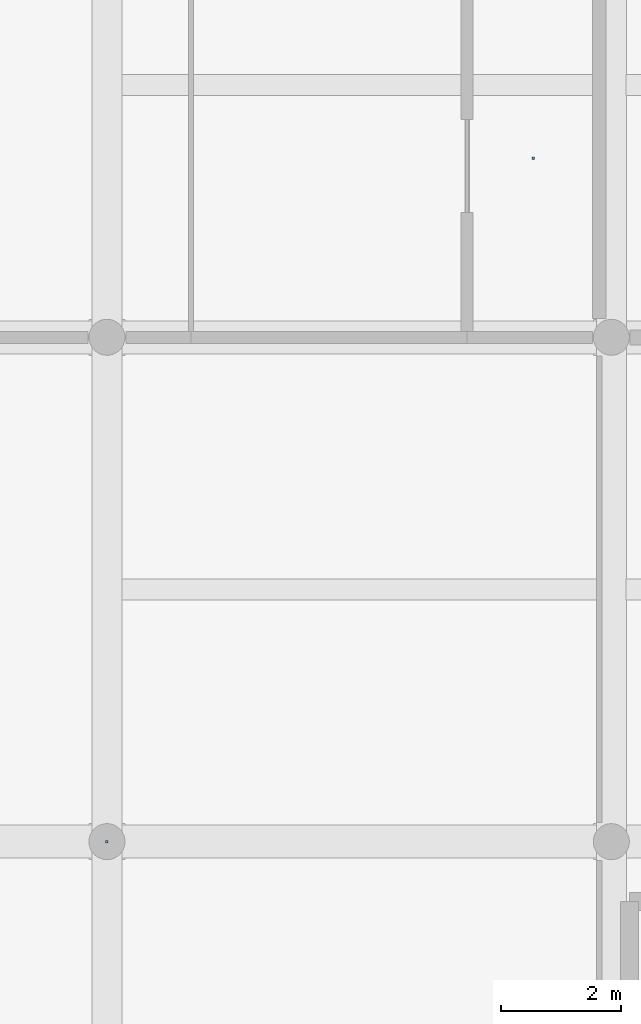
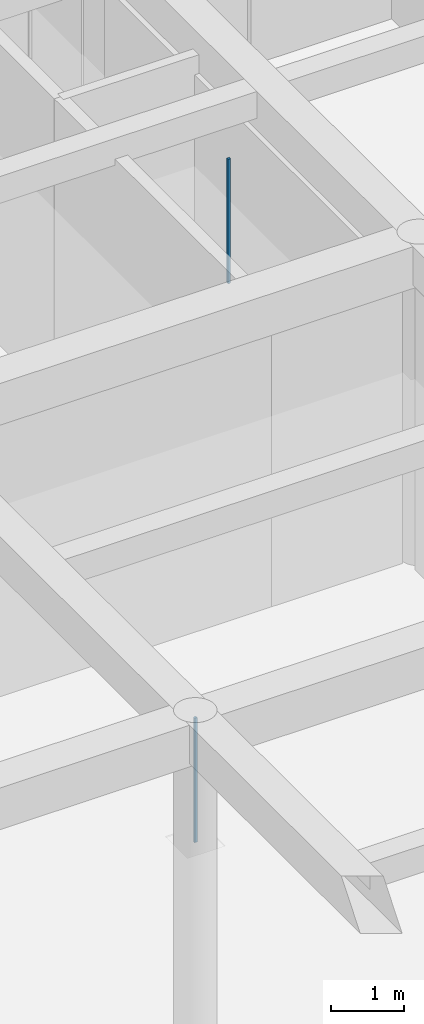
# One storey, part 119 of 157: 2 discrete accessories.
"""IFC4 building model written with IfcOpenShell, lengths in metres."""

import ifcopenshell
import ifcopenshell.guid

model = None  # the IFC model being written
_history = None  # IfcOwnerHistory: only IFC2X3 demands one
_inside = {}  # id of a spatial element -> (the spatial element, [elements in it])
_under = {}  # id of a project, library or spatial element -> (it, [spatial elements below it])
_declared = {}  # id of a project -> (the project, [libraries it declares])
_typed = {}  # id of a type object -> (the type object, [elements of that type])
_made_of = {}  # id of a material, layer set ... -> (it, [elements and type objects made of it])


def new_model(schema):
    """Start an empty IFC model of exactly this schema.

    Asked for "IFC4X3", IfcOpenShell would pick the latest addendum, in which some entities
    have other attributes; the version numbers below select the first issue.
    IFC2X3 requires an IfcOwnerHistory on every rooted entity: one is made here for all.
    """
    global model, _history
    if schema == "IFC4X3":
        model = ifcopenshell.file(schema_version=(4, 3, 0, 0))
    else:
        model = ifcopenshell.file(schema=schema)
    _inside.clear()
    _under.clear()
    _declared.clear()
    _typed.clear()
    _made_of.clear()
    _history = None
    if model.schema == "IFC2X3":
        org = make("IfcOrganization", Name="unknown")
        user = make(
            "IfcPersonAndOrganization",
            ThePerson=make("IfcPerson", FamilyName="unknown"),
            TheOrganization=org,
        )
        app = make(
            "IfcApplication",
            ApplicationDeveloper=org,
            Version="unknown",
            ApplicationFullName="unknown",
            ApplicationIdentifier="unknown",
        )
        _history = make(
            "IfcOwnerHistory",
            OwningUser=user,
            OwningApplication=app,
            ChangeAction="ADDED",
            CreationDate=0,
        )
    return model


def make(cls, **values):
    """One entity of the class cls with the attributes given. An attribute that is None is left unset."""
    return model.create_entity(
        cls, **{name: value for name, value in values.items() if value is not None}
    )


def rooted(cls, **values):
    """An entity with a GlobalId (a new one), such as an element, a storey or a relation."""
    return make(cls, GlobalId=ifcopenshell.guid.new(), OwnerHistory=_history, **values)


def si_unit(unit_type, name, prefix=None):
    """IfcSIUnit, for example si_unit("LENGTHUNIT", "METRE", prefix="MILLI")."""
    return make("IfcSIUnit", UnitType=unit_type, Prefix=prefix, Name=name)


def assignment(units):
    """IfcUnitAssignment: the units of a project."""
    return None if units is None else make("IfcUnitAssignment", Units=units)


def point(xyz):
    """IfcCartesianPoint."""
    return None if xyz is None else make("IfcCartesianPoint", Coordinates=xyz)


def direction(xyz):
    """IfcDirection."""
    return None if xyz is None else make("IfcDirection", DirectionRatios=xyz)


def frame(location, z_axis=None, x_axis=None):
    """IfcAxis2Placement3D, a coordinate frame: its origin and axes. An axis left out is left unset."""
    return make(
        "IfcAxis2Placement3D",
        Location=point(location),
        Axis=direction(z_axis),
        RefDirection=direction(x_axis),
    )


def frame_2d(location, x_axis=None):
    """IfcAxis2Placement2D, a coordinate frame in the plane: its origin and x axis."""
    return make(
        "IfcAxis2Placement2D", Location=point(location), RefDirection=direction(x_axis)
    )


def origin():
    """The frame at (0, 0, 0) with its axes left unset."""
    return frame((0.0, 0.0, 0.0))


def origin_2d():
    """The frame at (0, 0) in the plane with its x axis left unset."""
    return frame_2d((0.0, 0.0))


def place(relative_to, where):
    """IfcLocalPlacement: puts the frame where relative to a parent placement (None: the world)."""
    return make(
        "IfcLocalPlacement", PlacementRelTo=relative_to, RelativePlacement=where
    )


def context(
    kind, dimensions, precision=None, world=None, true_north=None, identifier=None
):
    """IfcGeometricRepresentationContext, for example the 3D "Model" context."""
    return make(
        "IfcGeometricRepresentationContext",
        ContextIdentifier=identifier,
        ContextType=kind,
        CoordinateSpaceDimension=dimensions,
        Precision=precision,
        WorldCoordinateSystem=world,
        TrueNorth=true_north,
    )


def subcontext(parent, identifier, kind, view, scale=None):
    """IfcGeometricRepresentationSubContext, for example "Body" below "Model"."""
    return make(
        "IfcGeometricRepresentationSubContext",
        ContextIdentifier=identifier,
        ContextType=kind,
        ParentContext=parent,
        TargetScale=scale,
        TargetView=view,
    )


def project(units=None, contexts=None):
    """IfcProject with its units and contexts."""
    return rooted(
        "IfcProject",
        Name="project",
        RepresentationContexts=contexts,
        UnitsInContext=assignment(units),
    )


def spatial(cls, under=None, at=None, **own):
    """A site, building, storey or space (cls), placed at a placement, below another one or the project."""
    s = rooted(cls, ObjectPlacement=at, **own)
    if under is not None:
        _under.setdefault(under.id(), (under, []))[1].append(s)
    return s


def profile(cls, at=None, kind="AREA", **sizes):
    """A parametric profile (cls). Its sizes go by their IFC names, for example OverallWidth=200.0."""
    return make(cls, ProfileType=kind, Position=at, **sizes)


def rectangle(**sizes):
    """IfcRectangleProfileDef."""
    return profile("IfcRectangleProfileDef", **sizes)


def extrude(swept, where, along, depth):
    """IfcExtrudedAreaSolid: the profile swept, set in the frame where, extruded along a direction by depth."""
    return make(
        "IfcExtrudedAreaSolid",
        SweptArea=swept,
        Position=where,
        ExtrudedDirection=direction(along),
        Depth=depth,
    )


def shape(context_of_items, identifier, shape_type, items):
    """IfcShapeRepresentation: the items that make up one representation, for example the "Body"."""
    return make(
        "IfcShapeRepresentation",
        ContextOfItems=context_of_items,
        RepresentationIdentifier=identifier,
        RepresentationType=shape_type,
        Items=items,
    )


def material(Name=None, Category=None):
    """IfcMaterial."""
    return make("IfcMaterial", Name=Name, Category=Category)


def made_of(thing, what):
    """Note that an element or type object is made of a material, layer set ...; save() writes the relation."""
    if what is not None:
        _made_of.setdefault(what.id(), (what, []))[1].append(thing)
    return thing


def type_object(cls, material=None, **own):
    """A type object (cls), such as IfcWallType, which elements share."""
    return made_of(rooted(cls, **own), material)


def element(
    cls,
    number,
    at=None,
    inside=None,
    cuts=None,
    type_object=None,
    material=None,
    context=None,
    identifier="Body",
    shape_type=None,
    held_by="IfcProductDefinitionShape",
    body=None,
    shapes=None,
    **own,
):
    """One element of the class cls, such as IfcWall. Its Tag is "e" and its number.

    at: its placement. inside: the storey or other place that contains it. cuts: it is an
    opening in that element (IfcRelVoidsElement). A single representation is given by context,
    identifier, shape_type and body (its items); several are given by shapes. held_by: the class
    of the entity that holds the representations. save() writes the other relations.
    """
    e = rooted(cls, Tag="e%d" % number, ObjectPlacement=at, **own)
    if body is not None:
        shapes = [shape(context, identifier, shape_type, body)]
    if shapes is not None:
        e.Representation = make(held_by, Representations=shapes)
    if inside is not None:
        _inside.setdefault(inside.id(), (inside, []))[1].append(e)
    if cuts is not None:
        rooted(
            "IfcRelVoidsElement", RelatingBuildingElement=cuts, RelatedOpeningElement=e
        )
    if type_object is not None:
        _typed.setdefault(type_object.id(), (type_object, []))[1].append(e)
    return made_of(e, material)


def aggregate(whole, parts):
    """IfcRelAggregates: a whole, such as a stair, and the parts it consists of."""
    return rooted("IfcRelAggregates", RelatingObject=whole, RelatedObjects=parts)


def save(model, path):
    """Write the relations noted so far, then the file.

    IfcRelAggregates (storeys below a building ...), IfcRelContainedInSpatialStructure (elements
    in a storey), IfcRelDefinesByType, IfcRelAssociatesMaterial and IfcRelDeclares: one each for
    every whole, place, type object, material and project.
    """
    for whole, parts in _under.values():
        aggregate(whole, parts)
    for where, things in _inside.values():
        rooted(
            "IfcRelContainedInSpatialStructure",
            RelatedElements=things,
            RelatingStructure=where,
        )
    for kind, things in _typed.values():
        rooted("IfcRelDefinesByType", RelatedObjects=things, RelatingType=kind)
    for what, things in _made_of.values():
        rooted("IfcRelAssociatesMaterial", RelatedObjects=things, RelatingMaterial=what)
    for by, libraries in _declared.values():
        rooted("IfcRelDeclares", RelatingContext=by, RelatedDefinitions=libraries)
    model.write(path)


model = new_model("IFC4")

# Units and contexts
model_context = context("Model", 3, precision=1e-05, world=origin(), true_north=direction((0.0, 1.0)))
body_context = subcontext(model_context, "Body", "Model", "MODEL_VIEW")
ifc_project = project(units=[si_unit("LENGTHUNIT", "METRE"), si_unit("AREAUNIT", "SQUARE_METRE"), si_unit("VOLUMEUNIT", "CUBIC_METRE"), si_unit("PLANEANGLEUNIT", "RADIAN"), si_unit("MASSUNIT", "GRAM", prefix="KILO")], contexts=[model_context])

# Site, building, storey
site_placement = place(None, origin())
site = spatial("IfcSite", under=ifc_project, at=site_placement, CompositionType="ELEMENT")
building_placement = place(site_placement, origin())
building = spatial("IfcBuilding", under=site, at=building_placement, Name="Varncliffe General Hospital", CompositionType="ELEMENT")
storey_placement = place(building_placement, frame((0.0, 0.0, 5.39990234375)))
storey = spatial("IfcBuildingStorey", under=building, at=storey_placement, Name="L01", CompositionType="ELEMENT", Elevation=5.39990234375)

# Discrete accessories
ifc_material = material(Name="Powder-coated hospital steel guardrail and handrail", Category="steel")
discrete_accessory_type = type_object("IfcDiscreteAccessoryType", Name="Suspended Ceiling Hanger Bracket CH01", PredefinedType="BRACKET", material=ifc_material)
for number, where, z_axis, x_axis, name in (
    (1, (67.199951171875, 66.0, 3.18994140625), (0.0, 0.0, 1.0), (1.0, 0.0, 0.0), "L01 Suspended Ceiling Hanger 129"),
    (2, (74.300048828125, 77.3798828125, 3.18994140625), (0.0, 0.0, 1.0), (1.0, 0.0, 0.0), "L01 Suspended Ceiling Hanger 165"),
):
    element("IfcDiscreteAccessory", number, at=place(storey_placement, frame(where, z_axis=z_axis, x_axis=x_axis)), inside=storey, type_object=discrete_accessory_type, Name=name, PredefinedType="BRACKET", context=body_context, shape_type="SweptSolid", body=[
        extrude(rectangle(XDim=0.0400390625, YDim=0.0400390625, at=origin_2d()), origin(), (0.0, 0.0, 1.0), 2.090087890625),
    ])

save(model, "model.ifc")
